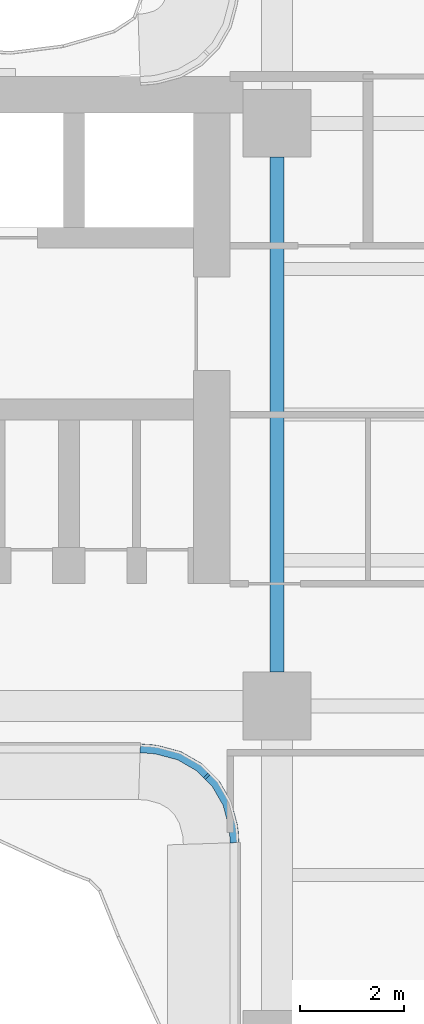
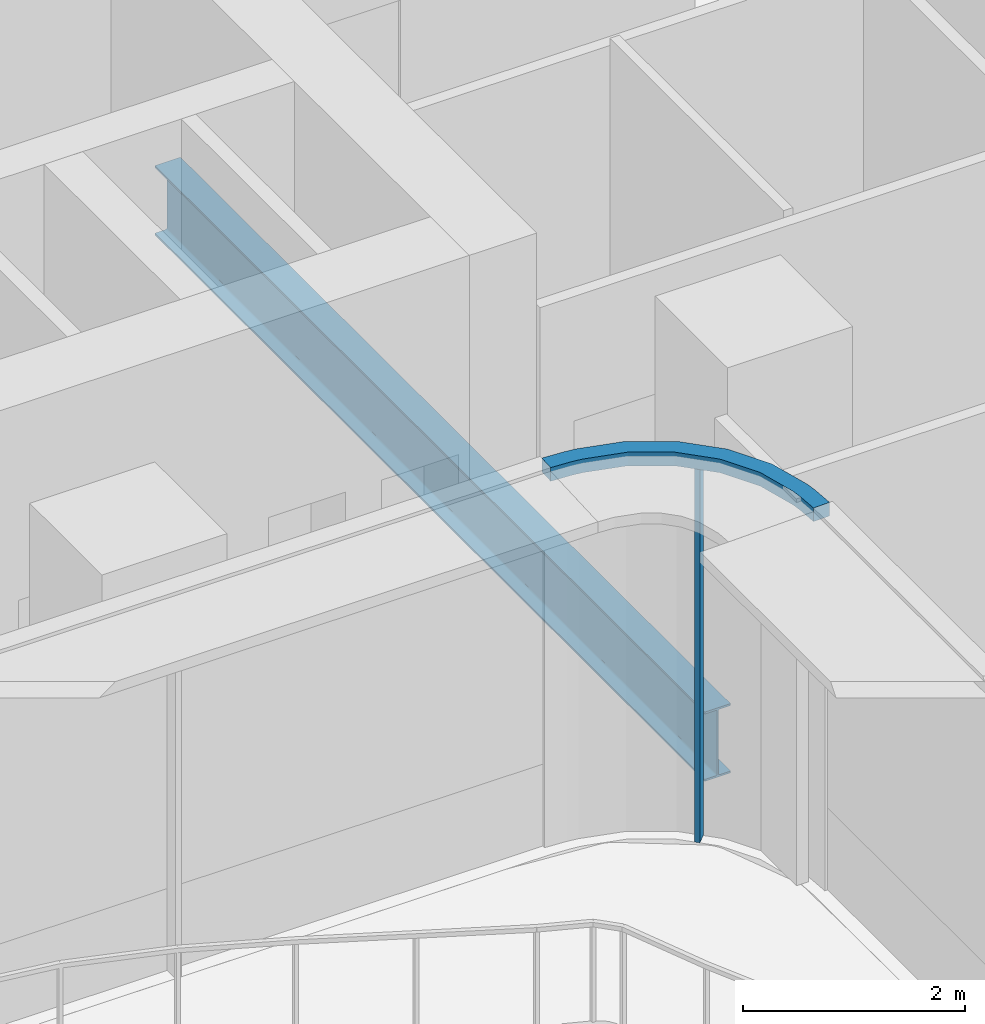
# One storey, part 4 of 21: 2 members, 1 beam, 1 element without a shape of its own.
"""IFC4 building model written with IfcOpenShell, lengths in metres."""

from ifc_helpers import new_model, si_unit, direction, frame, origin, origin_2d, place, context, subcontext, project, spatial, polyline, rectangle, i_section, outline, extrude, source, transform, mapped, material, layer, layer_set, material_profile, profile_set, type_object, element, aggregate, save


model = new_model("IFC4")

# Units and contexts
model_context = context("Model", 3, precision=1e-05, world=origin(), true_north=direction((0.0, 1.0)))
body_context = subcontext(model_context, "Body", "Model", "MODEL_VIEW")
ifc_project = project(units=[si_unit("LENGTHUNIT", "METRE"), si_unit("AREAUNIT", "SQUARE_METRE"), si_unit("VOLUMEUNIT", "CUBIC_METRE"), si_unit("PLANEANGLEUNIT", "RADIAN"), si_unit("MASSUNIT", "GRAM", prefix="KILO")], contexts=[model_context])

# Site, building, storey
site_placement = place(None, origin())
site = spatial("IfcSite", under=ifc_project, at=site_placement, CompositionType="ELEMENT")
building_placement = place(site_placement, origin())
building = spatial("IfcBuilding", under=site, at=building_placement, Name="Trellis Farm Tower", CompositionType="ELEMENT")
storey_placement = place(building_placement, frame((0.0, 0.0, 138.0)))
storey = spatial("IfcBuildingStorey", under=building, at=storey_placement, Name="L29", CompositionType="ELEMENT", Elevation=138.0)

# Beam
ifc_material_1 = material(Name="Steel S355", Category="steel")
ifc_material_profile_1 = material_profile(ifc_material_1, i_section(OverallWidth=0.2666015625, OverallDepth=0.76220703125, WebThickness=0.014404296875, FlangeThickness=0.021484375, FilletRadius=0.0166015625, at=origin_2d()), Name="UB 762x267x173")
ifc_profile_set_1 = profile_set([ifc_material_profile_1], Name="Steel S355")
beam_type = type_object("IfcBeamType", Name="UB 762x267x173", PredefinedType="BEAM", material=ifc_profile_set_1)
shared_shape_1 = source(origin(), body_context, "Body", "SweptSolid", [
    extrude(i_section(OverallWidth=0.2666015625, OverallDepth=0.76220703125, WebThickness=0.014404296875, FlangeThickness=0.021484375, FilletRadius=0.0166015625, at=origin_2d()), origin(), (0.0, 0.0, 1.0), 9.89990234375),
])
beam_placement = place(storey_placement, frame((-5.60009765625, -4.949951171875, -0.631103515625), z_axis=(0.0, 1.0, 0.0), x_axis=(-1.0, 0.0, 0.0)))
element("IfcBeam", 1, at=beam_placement, inside=storey, type_object=beam_type, Name="Girder", PredefinedType="BEAM", context=body_context, shape_type="MappedRepresentation", body=[
    mapped(shared_shape_1, transform((0.0, 0.0, 0.0))),
])

# Curtain wall, members
ifc_material_2 = material(Name="Aluminium and glass curtain wall", Category="aluminium")
ifc_layer_1 = layer(ifc_material_2, 0.166015625)
ifc_layer_set_1 = layer_set([ifc_layer_1], Name="WINTER GARDEN CURTAIN WALL CW3")
curtain_wall_type = type_object("IfcCurtainWallType", Name="WINTER GARDEN CURTAIN WALL CW3", PredefinedType="NOTDEFINED", material=ifc_layer_set_1)
curtain_wall_placement = place(storey_placement, origin())
curtain_wall = element("IfcCurtainWall", 2, at=curtain_wall_placement, inside=storey, type_object=curtain_wall_type, Name="CW3 001", PredefinedType="NOTDEFINED")
ifc_material_3 = material(Name="Aluminium extrusion 6063-T6", Category="aluminium")
ifc_material_profile_2 = material_profile(ifc_material_3, rectangle(XDim=0.050048828125, YDim=0.1201171875, at=origin_2d()), Name="MULLION 50x120")
ifc_profile_set_2 = profile_set([ifc_material_profile_2], Name="Aluminium extrusion 6063-T6")
member_type_1 = type_object("IfcMemberType", Name="CW3 MULLION 50x120", PredefinedType="MULLION", material=ifc_profile_set_2)
shared_shape_2 = source(origin(), body_context, "Body", "SweptSolid", [
    extrude(rectangle(XDim=0.050048828125, YDim=0.1201171875, at=origin_2d()), origin(), (0.0, 0.0, 1.0), 4.10009765625),
])
member_1_placement = place(storey_placement, frame((-6.953125, -6.953125, 0.0), z_axis=(0.0, 0.0, 1.0), x_axis=(0.707106781187, -0.707106781187, 0.0)))
member_1 = element("IfcMember", 3, at=member_1_placement, type_object=member_type_1, Name="MU3 001-01", PredefinedType="MULLION", context=body_context, shape_type="MappedRepresentation", body=[
    mapped(shared_shape_2, transform((0.0, 0.0, 0.0))),
])
ifc_layer_2 = layer(ifc_material_3, 0.169921875)
ifc_layer_set_2 = layer_set([ifc_layer_2], Name="Aluminium extrusion 6063-T6")
member_type_2 = type_object("IfcMemberType", Name="CW3 TRANSOM 170x150", PredefinedType="USERDEFINED", material=ifc_layer_set_2)
shared_shape_3 = source(origin(), body_context, "Body", "SweptSolid", [
    extrude(outline(polyline([(-8.2314453125, -6.5), (-8.01953125, -6.513916015625), (-7.91552734375, -6.527587890625), (-7.508544921875, -6.63671875), (-7.144287109375, -6.846923828125), (-6.846923828125, -7.144287109375), (-6.63671875, -7.508544921875), (-6.527587890625, -7.91552734375), (-6.513916015625, -8.01953125), (-6.5, -8.2314453125), (-6.330078125, -8.225830078125), (-6.3447265625, -8.0029296875), (-6.360595703125, -7.88232421875), (-6.478271484375, -7.44287109375), (-6.7109375, -7.0400390625), (-7.0400390625, -6.7109375), (-7.44287109375, -6.478271484375), (-7.88232421875, -6.360595703125), (-8.0029296875, -6.3447265625), (-8.225830078125, -6.330078125), (-8.2314453125, -6.5)])), origin(), (0.0, 0.0, 1.0), 0.14990234375),
])
member_2_placement = place(storey_placement, frame((0.0, 0.0, 4.10009765625)))
member_2 = element("IfcMember", 4, at=member_2_placement, type_object=member_type_2, Name="TR3 001", ObjectType="TRANSOM", PredefinedType="USERDEFINED", context=body_context, shape_type="MappedRepresentation", body=[
    mapped(shared_shape_3, transform((0.0, 0.0, 0.0))),
])
aggregate(curtain_wall, [member_1, member_2])

save(model, "model.ifc")
